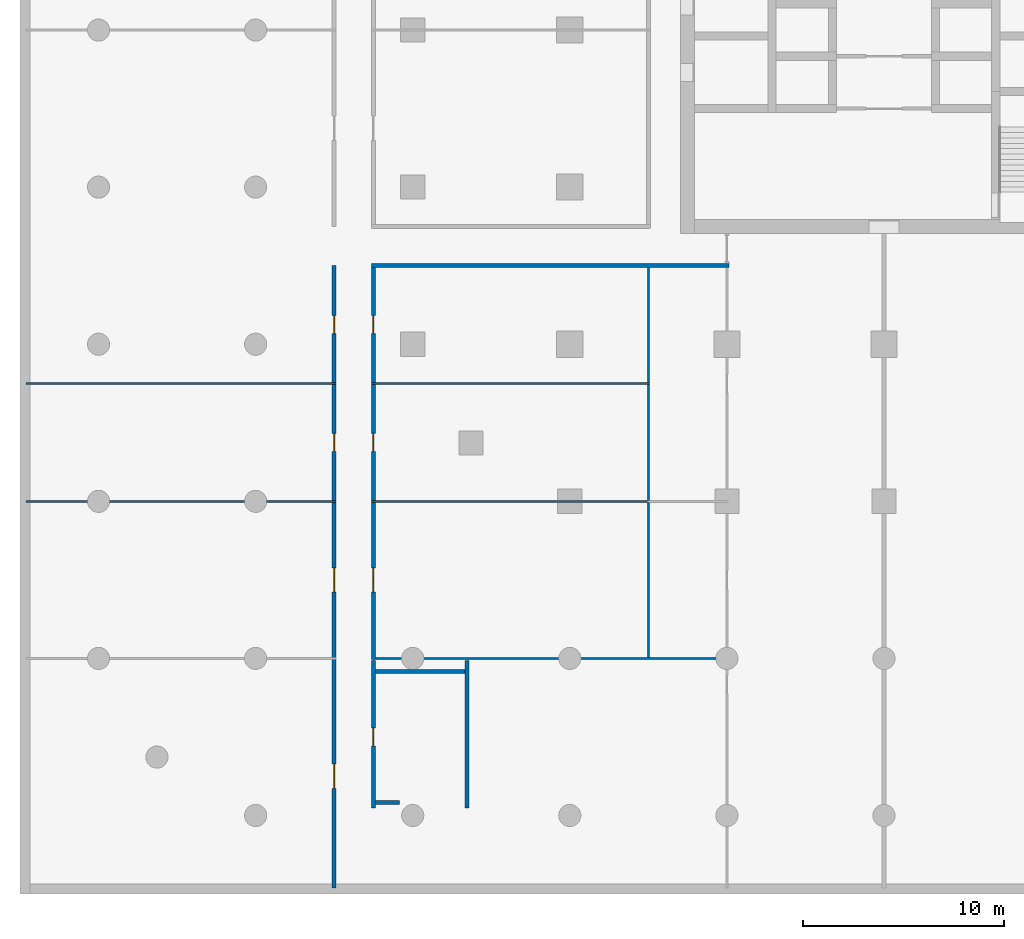
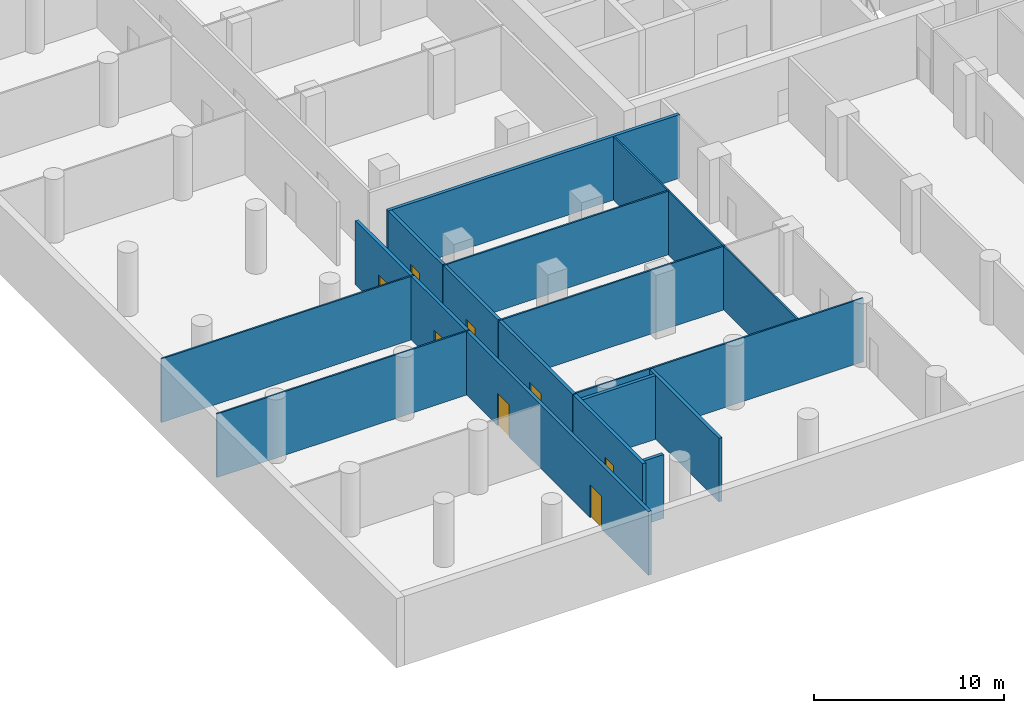
# One storey, part 2 of 14: 15 walls, 8 doors, 8 openings.
"""IFC4 building model written with IfcOpenShell, lengths in metres."""

import ifcopenshell
import ifcopenshell.guid

model = None  # the IFC model being written
_history = None  # IfcOwnerHistory: only IFC2X3 demands one
_inside = {}  # id of a spatial element -> (the spatial element, [elements in it])
_under = {}  # id of a project, library or spatial element -> (it, [spatial elements below it])
_declared = {}  # id of a project -> (the project, [libraries it declares])
_typed = {}  # id of a type object -> (the type object, [elements of that type])
_made_of = {}  # id of a material, layer set ... -> (it, [elements and type objects made of it])


def new_model(schema):
    """Start an empty IFC model of exactly this schema.

    Asked for "IFC4X3", IfcOpenShell would pick the latest addendum, in which some entities
    have other attributes; the version numbers below select the first issue.
    IFC2X3 requires an IfcOwnerHistory on every rooted entity: one is made here for all.
    """
    global model, _history
    if schema == "IFC4X3":
        model = ifcopenshell.file(schema_version=(4, 3, 0, 0))
    else:
        model = ifcopenshell.file(schema=schema)
    _inside.clear()
    _under.clear()
    _declared.clear()
    _typed.clear()
    _made_of.clear()
    _history = None
    if model.schema == "IFC2X3":
        org = make("IfcOrganization", Name="unknown")
        user = make(
            "IfcPersonAndOrganization",
            ThePerson=make("IfcPerson", FamilyName="unknown"),
            TheOrganization=org,
        )
        app = make(
            "IfcApplication",
            ApplicationDeveloper=org,
            Version="unknown",
            ApplicationFullName="unknown",
            ApplicationIdentifier="unknown",
        )
        _history = make(
            "IfcOwnerHistory",
            OwningUser=user,
            OwningApplication=app,
            ChangeAction="ADDED",
            CreationDate=0,
        )
    return model


def make(cls, **values):
    """One entity of the class cls with the attributes given. An attribute that is None is left unset."""
    return model.create_entity(
        cls, **{name: value for name, value in values.items() if value is not None}
    )


def rooted(cls, **values):
    """An entity with a GlobalId (a new one), such as an element, a storey or a relation."""
    return make(cls, GlobalId=ifcopenshell.guid.new(), OwnerHistory=_history, **values)


def si_unit(unit_type, name, prefix=None):
    """IfcSIUnit, for example si_unit("LENGTHUNIT", "METRE", prefix="MILLI")."""
    return make("IfcSIUnit", UnitType=unit_type, Prefix=prefix, Name=name)


def assignment(units):
    """IfcUnitAssignment: the units of a project."""
    return None if units is None else make("IfcUnitAssignment", Units=units)


def point(xyz):
    """IfcCartesianPoint."""
    return None if xyz is None else make("IfcCartesianPoint", Coordinates=xyz)


def direction(xyz):
    """IfcDirection."""
    return None if xyz is None else make("IfcDirection", DirectionRatios=xyz)


def frame(location, z_axis=None, x_axis=None):
    """IfcAxis2Placement3D, a coordinate frame: its origin and axes. An axis left out is left unset."""
    return make(
        "IfcAxis2Placement3D",
        Location=point(location),
        Axis=direction(z_axis),
        RefDirection=direction(x_axis),
    )


def frame_2d(location, x_axis=None):
    """IfcAxis2Placement2D, a coordinate frame in the plane: its origin and x axis."""
    return make(
        "IfcAxis2Placement2D", Location=point(location), RefDirection=direction(x_axis)
    )


def origin():
    """The frame at (0, 0, 0) with its axes left unset."""
    return frame((0.0, 0.0, 0.0))


def place(relative_to, where):
    """IfcLocalPlacement: puts the frame where relative to a parent placement (None: the world)."""
    return make(
        "IfcLocalPlacement", PlacementRelTo=relative_to, RelativePlacement=where
    )


def context(
    kind, dimensions, precision=None, world=None, true_north=None, identifier=None
):
    """IfcGeometricRepresentationContext, for example the 3D "Model" context."""
    return make(
        "IfcGeometricRepresentationContext",
        ContextIdentifier=identifier,
        ContextType=kind,
        CoordinateSpaceDimension=dimensions,
        Precision=precision,
        WorldCoordinateSystem=world,
        TrueNorth=true_north,
    )


def subcontext(parent, identifier, kind, view, scale=None):
    """IfcGeometricRepresentationSubContext, for example "Body" below "Model"."""
    return make(
        "IfcGeometricRepresentationSubContext",
        ContextIdentifier=identifier,
        ContextType=kind,
        ParentContext=parent,
        TargetScale=scale,
        TargetView=view,
    )


def project(units=None, contexts=None):
    """IfcProject with its units and contexts."""
    return rooted(
        "IfcProject",
        Name="project",
        RepresentationContexts=contexts,
        UnitsInContext=assignment(units),
    )


def spatial(cls, under=None, at=None, **own):
    """A site, building, storey or space (cls), placed at a placement, below another one or the project."""
    s = rooted(cls, ObjectPlacement=at, **own)
    if under is not None:
        _under.setdefault(under.id(), (under, []))[1].append(s)
    return s


def profile(cls, at=None, kind="AREA", **sizes):
    """A parametric profile (cls). Its sizes go by their IFC names, for example OverallWidth=200.0."""
    return make(cls, ProfileType=kind, Position=at, **sizes)


def rectangle(**sizes):
    """IfcRectangleProfileDef."""
    return profile("IfcRectangleProfileDef", **sizes)


def extrude(swept, where, along, depth):
    """IfcExtrudedAreaSolid: the profile swept, set in the frame where, extruded along a direction by depth."""
    return make(
        "IfcExtrudedAreaSolid",
        SweptArea=swept,
        Position=where,
        ExtrudedDirection=direction(along),
        Depth=depth,
    )


def shape(context_of_items, identifier, shape_type, items):
    """IfcShapeRepresentation: the items that make up one representation, for example the "Body"."""
    return make(
        "IfcShapeRepresentation",
        ContextOfItems=context_of_items,
        RepresentationIdentifier=identifier,
        RepresentationType=shape_type,
        Items=items,
    )


def material(Name=None, Category=None):
    """IfcMaterial."""
    return make("IfcMaterial", Name=Name, Category=Category)


def layer(
    of_material, thickness, ventilated=None, Name=None, Category=None, Priority=None
):
    """IfcMaterialLayer: one layer of a wall or slab, of a material (None: an air gap)."""
    return make(
        "IfcMaterialLayer",
        Material=of_material,
        LayerThickness=thickness,
        IsVentilated=ventilated,
        Name=Name,
        Category=Category,
        Priority=Priority,
    )


def layer_set(layers, Name=None):
    """IfcMaterialLayerSet."""
    return make("IfcMaterialLayerSet", MaterialLayers=layers, LayerSetName=Name)


def made_of(thing, what):
    """Note that an element or type object is made of a material, layer set ...; save() writes the relation."""
    if what is not None:
        _made_of.setdefault(what.id(), (what, []))[1].append(thing)
    return thing


def type_object(cls, material=None, **own):
    """A type object (cls), such as IfcWallType, which elements share."""
    return made_of(rooted(cls, **own), material)


def element(
    cls,
    number,
    at=None,
    inside=None,
    cuts=None,
    type_object=None,
    material=None,
    context=None,
    identifier="Body",
    shape_type=None,
    held_by="IfcProductDefinitionShape",
    body=None,
    shapes=None,
    **own,
):
    """One element of the class cls, such as IfcWall. Its Tag is "e" and its number.

    at: its placement. inside: the storey or other place that contains it. cuts: it is an
    opening in that element (IfcRelVoidsElement). A single representation is given by context,
    identifier, shape_type and body (its items); several are given by shapes. held_by: the class
    of the entity that holds the representations. save() writes the other relations.
    """
    e = rooted(cls, Tag="e%d" % number, ObjectPlacement=at, **own)
    if body is not None:
        shapes = [shape(context, identifier, shape_type, body)]
    if shapes is not None:
        e.Representation = make(held_by, Representations=shapes)
    if inside is not None:
        _inside.setdefault(inside.id(), (inside, []))[1].append(e)
    if cuts is not None:
        rooted(
            "IfcRelVoidsElement", RelatingBuildingElement=cuts, RelatedOpeningElement=e
        )
    if type_object is not None:
        _typed.setdefault(type_object.id(), (type_object, []))[1].append(e)
    return made_of(e, material)


def fill(opening, filler):
    """IfcRelFillsElement: the door or window that sits in an opening."""
    return rooted(
        "IfcRelFillsElement",
        RelatingOpeningElement=opening,
        RelatedBuildingElement=filler,
    )


def aggregate(whole, parts):
    """IfcRelAggregates: a whole, such as a stair, and the parts it consists of."""
    return rooted("IfcRelAggregates", RelatingObject=whole, RelatedObjects=parts)


def save(model, path):
    """Write the relations noted so far, then the file.

    IfcRelAggregates (storeys below a building ...), IfcRelContainedInSpatialStructure (elements
    in a storey), IfcRelDefinesByType, IfcRelAssociatesMaterial and IfcRelDeclares: one each for
    every whole, place, type object, material and project.
    """
    for whole, parts in _under.values():
        aggregate(whole, parts)
    for where, things in _inside.values():
        rooted(
            "IfcRelContainedInSpatialStructure",
            RelatedElements=things,
            RelatingStructure=where,
        )
    for kind, things in _typed.values():
        rooted("IfcRelDefinesByType", RelatedObjects=things, RelatingType=kind)
    for what, things in _made_of.values():
        rooted("IfcRelAssociatesMaterial", RelatedObjects=things, RelatingMaterial=what)
    for by, libraries in _declared.values():
        rooted("IfcRelDeclares", RelatingContext=by, RelatedDefinitions=libraries)
    model.write(path)


model = new_model("IFC4")

# Units and contexts
model_context = context("Model", 3, precision=1e-05, world=origin(), true_north=direction((0.0, 1.0)))
body_context = subcontext(model_context, "Body", "Model", "MODEL_VIEW")
ifc_project = project(units=[si_unit("LENGTHUNIT", "METRE"), si_unit("AREAUNIT", "SQUARE_METRE"), si_unit("VOLUMEUNIT", "CUBIC_METRE"), si_unit("PLANEANGLEUNIT", "RADIAN"), si_unit("MASSUNIT", "GRAM", prefix="KILO")], contexts=[model_context])

# Site, building, storey
site_placement = place(None, origin())
site = spatial("IfcSite", under=ifc_project, at=site_placement, CompositionType="ELEMENT")
building_placement = place(site_placement, origin())
building = spatial("IfcBuilding", under=site, at=building_placement, Name="Ludao Terraces", CompositionType="ELEMENT")
storey_placement = place(building_placement, frame((0.0, 0.0, -4.5)))
storey = spatial("IfcBuildingStorey", under=building, at=storey_placement, Name="B1", CompositionType="ELEMENT", Elevation=-4.5)

# Wall
ifc_material_1 = material(Name="Autoclaved aerated concrete block B06 A3.5", Category="concrete")
ifc_layer_1 = layer(ifc_material_1, 0.199951171875)
ifc_layer_set_1 = layer_set([ifc_layer_1], Name="INT Entrance wall 200")
wall_type_1 = type_object("IfcWallType", Name="INT Entrance wall 200", PredefinedType="PARTITIONING", material=ifc_layer_set_1)
wall_1_placement = place(storey_placement, frame((59.550048828125, 53.300048828125, 0.0), z_axis=(0.0, 0.0, 1.0), x_axis=(1.0, 0.0, 0.0)))
element("IfcWall", 1, at=wall_1_placement, inside=storey, type_object=wall_type_1, Name="PW-B1-PW015", PredefinedType="PARTITIONING", context=body_context, shape_type="SweptSolid", body=[
    extrude(rectangle(XDim=17.75, YDim=0.199951171875, at=frame_2d((8.875, 0.0))), origin(), (0.0, 0.0, 1.0), 4.10009765625),
])

# Wall, openings, doors
wall_2_placement = place(storey_placement, frame((57.699951171875, 22.400146484375, 0.0), z_axis=(0.0, 0.0, 1.0), x_axis=(0.0, 1.0, 0.0)))
wall_2 = element("IfcWall", 2, at=wall_2_placement, inside=storey, type_object=wall_type_1, Name="PW-B1-PW036", PredefinedType="PARTITIONING", context=body_context, shape_type="SweptSolid", body=[
    extrude(rectangle(XDim=30.89990234375, YDim=0.199951171875, at=frame_2d((15.449951171875, 0.0))), origin(), (0.0, 0.0, 1.0), 4.10009765625),
])
opening_1_placement = place(wall_2_placement, frame((4.949951171875, 0.0, 0.0)))
opening_1 = element("IfcOpeningElement", 3, at=opening_1_placement, cuts=wall_2, Name="Opening B1-003", PredefinedType="OPENING", context=body_context, shape_type="SweptSolid", body=[
    extrude(rectangle(XDim=1.199951171875, YDim=2.10009765625, at=frame_2d((0.60009765625, 1.050048828125))), frame((0.0, 0.10986328125, 0.0), z_axis=(0.0, -1.0, 0.0), x_axis=(1.0, 0.0, 0.0)), (0.0, 0.0, 1.0), 0.219970703125),
])
opening_2_placement = place(wall_2_placement, frame((14.699951171875, 0.0, 0.0)))
opening_2 = element("IfcOpeningElement", 4, at=opening_2_placement, cuts=wall_2, Name="Opening B1-009", PredefinedType="OPENING", context=body_context, shape_type="SweptSolid", body=[
    extrude(rectangle(XDim=1.199951171875, YDim=2.10009765625, at=frame_2d((0.60009765625, 1.050048828125))), frame((0.0, 0.10986328125, 0.0), z_axis=(0.0, -1.0, 0.0), x_axis=(1.0, 0.0, 0.0)), (0.0, 0.0, 1.0), 0.219970703125),
])
opening_3_placement = place(wall_2_placement, frame((21.675048828125, 0.0, 0.0)))
opening_3 = element("IfcOpeningElement", 5, at=opening_3_placement, cuts=wall_2, Name="Opening B1-015", PredefinedType="OPENING", context=body_context, shape_type="SweptSolid", body=[
    extrude(rectangle(XDim=0.89990234375, YDim=2.10009765625, at=frame_2d((0.449951171875, 1.050048828125))), frame((0.0, 0.10986328125, 0.0), z_axis=(0.0, -1.0, 0.0), x_axis=(1.0, 0.0, 0.0)), (0.0, 0.0, 1.0), 0.219970703125),
])
opening_4_placement = place(wall_2_placement, frame((27.52490234375, 0.0, 0.0)))
opening_4 = element("IfcOpeningElement", 6, at=opening_4_placement, cuts=wall_2, Name="Opening B1-019", PredefinedType="OPENING", context=body_context, shape_type="SweptSolid", body=[
    extrude(rectangle(XDim=0.89990234375, YDim=2.10009765625, at=frame_2d((0.449951171875, 1.050048828125))), frame((0.0, 0.10986328125, 0.0), z_axis=(0.0, -1.0, 0.0), x_axis=(1.0, 0.0, 0.0)), (0.0, 0.0, 1.0), 0.219970703125),
])
ifc_material_2 = material(Name="Timber door leaf", Category="wood")
door_type_1 = type_object("IfcDoorType", Name="INT Double door 1200", OperationType="DOUBLE_DOOR_SINGLE_SWING", PredefinedType="DOOR", material=ifc_material_2)
door_1_placement = place(opening_1_placement, origin())
door_1 = element("IfcDoor", 7, at=door_1_placement, inside=storey, type_object=door_type_1, Name="DOOR 003", OperationType="DOUBLE_DOOR_SINGLE_SWING", OverallHeight=2.10009765625, OverallWidth=1.199951171875, PredefinedType="DOOR", context=body_context, shape_type="SweptSolid", body=[
    extrude(rectangle(XDim=1.199951171875, YDim=2.10009765625, at=frame_2d((0.60009765625, 1.050048828125))), frame((0.0, 0.02490234375, 0.0), z_axis=(0.0, -1.0, 0.0), x_axis=(1.0, 0.0, 0.0)), (0.0, 0.0, 1.0), 0.050048828125),
])
fill(opening_1, door_1)
door_2_placement = place(opening_2_placement, origin())
door_2 = element("IfcDoor", 8, at=door_2_placement, inside=storey, type_object=door_type_1, Name="DOOR 009", OperationType="DOUBLE_DOOR_SINGLE_SWING", OverallHeight=2.10009765625, OverallWidth=1.199951171875, PredefinedType="DOOR", context=body_context, shape_type="SweptSolid", body=[
    extrude(rectangle(XDim=1.199951171875, YDim=2.10009765625, at=frame_2d((0.60009765625, 1.050048828125))), frame((0.0, 0.02490234375, 0.0), z_axis=(0.0, -1.0, 0.0), x_axis=(1.0, 0.0, 0.0)), (0.0, 0.0, 1.0), 0.050048828125),
])
fill(opening_2, door_2)
door_type_2 = type_object("IfcDoorType", Name="INT Room door 900", OperationType="SINGLE_SWING_LEFT", PredefinedType="DOOR", material=ifc_material_2)
door_3_placement = place(opening_3_placement, origin())
door_3 = element("IfcDoor", 9, at=door_3_placement, inside=storey, type_object=door_type_2, Name="DOOR 015", OperationType="SINGLE_SWING_LEFT", OverallHeight=2.10009765625, OverallWidth=0.89990234375, PredefinedType="DOOR", context=body_context, shape_type="SweptSolid", body=[
    extrude(rectangle(XDim=0.89990234375, YDim=2.10009765625, at=frame_2d((0.449951171875, 1.050048828125))), frame((0.0, 0.02490234375, 0.0), z_axis=(0.0, -1.0, 0.0), x_axis=(1.0, 0.0, 0.0)), (0.0, 0.0, 1.0), 0.050048828125),
])
fill(opening_3, door_3)
door_4_placement = place(opening_4_placement, origin())
door_4 = element("IfcDoor", 10, at=door_4_placement, inside=storey, type_object=door_type_2, Name="DOOR 019", OperationType="SINGLE_SWING_LEFT", OverallHeight=2.10009765625, OverallWidth=0.89990234375, PredefinedType="DOOR", context=body_context, shape_type="SweptSolid", body=[
    extrude(rectangle(XDim=0.89990234375, YDim=2.10009765625, at=frame_2d((0.449951171875, 1.050048828125))), frame((0.0, 0.02490234375, 0.0), z_axis=(0.0, -1.0, 0.0), x_axis=(1.0, 0.0, 0.0)), (0.0, 0.0, 1.0), 0.050048828125),
])
fill(opening_4, door_4)

wall_3_placement = place(storey_placement, frame((59.64990234375, 33.75, 0.0), z_axis=(0.0, 0.0, 1.0), x_axis=(0.0, 1.0, 0.0)))
wall_3 = element("IfcWall", 11, at=wall_3_placement, inside=storey, type_object=wall_type_1, Name="PW-B1-PW038", PredefinedType="PARTITIONING", context=body_context, shape_type="SweptSolid", body=[
    extrude(rectangle(XDim=19.4501953125, YDim=0.199951171875, at=frame_2d((9.72509765625, 0.0))), origin(), (0.0, 0.0, 1.0), 4.10009765625),
])
opening_5_placement = place(wall_3_placement, frame((3.35009765625, 0.0, 0.0)))
opening_5 = element("IfcOpeningElement", 12, at=opening_5_placement, cuts=wall_3, Name="Opening B1-010", PredefinedType="OPENING", context=body_context, shape_type="SweptSolid", body=[
    extrude(rectangle(XDim=1.199951171875, YDim=2.10009765625, at=frame_2d((0.60009765625, 1.050048828125))), frame((0.0, 0.10986328125, 0.0), z_axis=(0.0, -1.0, 0.0), x_axis=(1.0, 0.0, 0.0)), (0.0, 0.0, 1.0), 0.219970703125),
])
opening_6_placement = place(wall_3_placement, frame((10.3251953125, 0.0, 0.0)))
opening_6 = element("IfcOpeningElement", 13, at=opening_6_placement, cuts=wall_3, Name="Opening B1-016", PredefinedType="OPENING", context=body_context, shape_type="SweptSolid", body=[
    extrude(rectangle(XDim=0.89990234375, YDim=2.10009765625, at=frame_2d((0.449951171875, 1.050048828125))), frame((0.0, 0.10986328125, 0.0), z_axis=(0.0, -1.0, 0.0), x_axis=(1.0, 0.0, 0.0)), (0.0, 0.0, 1.0), 0.219970703125),
])
opening_7_placement = place(wall_3_placement, frame((16.175048828125, 0.0, 0.0)))
opening_7 = element("IfcOpeningElement", 14, at=opening_7_placement, cuts=wall_3, Name="Opening B1-020", PredefinedType="OPENING", context=body_context, shape_type="SweptSolid", body=[
    extrude(rectangle(XDim=0.89990234375, YDim=2.10009765625, at=frame_2d((0.449951171875, 1.050048828125))), frame((0.0, 0.10986328125, 0.0), z_axis=(0.0, -1.0, 0.0), x_axis=(1.0, 0.0, 0.0)), (0.0, 0.0, 1.0), 0.219970703125),
])
door_5_placement = place(opening_5_placement, origin())
door_5 = element("IfcDoor", 15, at=door_5_placement, inside=storey, type_object=door_type_1, Name="DOOR 010", OperationType="DOUBLE_DOOR_SINGLE_SWING", OverallHeight=2.10009765625, OverallWidth=1.199951171875, PredefinedType="DOOR", context=body_context, shape_type="SweptSolid", body=[
    extrude(rectangle(XDim=1.199951171875, YDim=2.10009765625, at=frame_2d((0.60009765625, 1.050048828125))), frame((0.0, 0.02490234375, 0.0), z_axis=(0.0, -1.0, 0.0), x_axis=(1.0, 0.0, 0.0)), (0.0, 0.0, 1.0), 0.050048828125),
])
fill(opening_5, door_5)
door_6_placement = place(opening_6_placement, origin())
door_6 = element("IfcDoor", 16, at=door_6_placement, inside=storey, type_object=door_type_2, Name="DOOR 016", OperationType="SINGLE_SWING_RIGHT", OverallHeight=2.10009765625, OverallWidth=0.89990234375, PredefinedType="DOOR", context=body_context, shape_type="SweptSolid", body=[
    extrude(rectangle(XDim=0.89990234375, YDim=2.10009765625, at=frame_2d((0.449951171875, 1.050048828125))), frame((0.0, 0.02490234375, 0.0), z_axis=(0.0, -1.0, 0.0), x_axis=(1.0, 0.0, 0.0)), (0.0, 0.0, 1.0), 0.050048828125),
])
fill(opening_6, door_6)
door_7_placement = place(opening_7_placement, origin())
door_7 = element("IfcDoor", 17, at=door_7_placement, inside=storey, type_object=door_type_2, Name="DOOR 020", OperationType="SINGLE_SWING_RIGHT", OverallHeight=2.10009765625, OverallWidth=0.89990234375, PredefinedType="DOOR", context=body_context, shape_type="SweptSolid", body=[
    extrude(rectangle(XDim=0.89990234375, YDim=2.10009765625, at=frame_2d((0.449951171875, 1.050048828125))), frame((0.0, 0.02490234375, 0.0), z_axis=(0.0, -1.0, 0.0), x_axis=(1.0, 0.0, 0.0)), (0.0, 0.0, 1.0), 0.050048828125),
])
fill(opening_7, door_7)

# Walls
ifc_material_3 = material(Name="Gypsum plasterboard", Category="gypsum")
ifc_layer_2 = layer(ifc_material_3, 0.012451171875, Category="gypsum")
ifc_material_4 = material(Name="Mineral wool")
ifc_layer_3 = layer(ifc_material_4, 0.06005859375, Name="insulation")
ifc_material_5 = material(Name="Steel Q235", Category="steel")
ifc_layer_4 = layer(ifc_material_5, 0.014892578125, Name="stud")
ifc_layer_5 = layer(ifc_material_3, 0.012451171875, Category="gypsum")
ifc_layer_set_2 = layer_set([ifc_layer_2, ifc_layer_3, ifc_layer_4, ifc_layer_5], Name="INT Partition 100")
wall_type_2 = type_object("IfcWallType", Name="INT Partition 100", PredefinedType="PARTITIONING", material=ifc_layer_set_2)
wall_4_placement = place(storey_placement, frame((59.75, 33.800048828125, 0.0), z_axis=(0.0, 0.0, 1.0), x_axis=(1.0, 0.0, 0.0)))
element("IfcWall", 18, at=wall_4_placement, inside=storey, type_object=wall_type_2, Name="PW-B1-PW003", PredefinedType="PARTITIONING", context=body_context, shape_type="SweptSolid", body=[
    extrude(rectangle(XDim=17.5, YDim=0.10009765625, at=frame_2d((8.75, 0.0))), origin(), (0.0, 0.0, 1.0), 4.10009765625),
])
wall_5_placement = place(storey_placement, frame((42.400146484375, 41.60009765625, 0.0), z_axis=(0.0, 0.0, 1.0), x_axis=(1.0, 0.0, 0.0)))
element("IfcWall", 19, at=wall_5_placement, inside=storey, type_object=wall_type_2, Name="PW-B1-PW007", PredefinedType="PARTITIONING", context=body_context, shape_type="SweptSolid", body=[
    extrude(rectangle(XDim=15.39990234375, YDim=0.10009765625, at=frame_2d((7.699951171875, 0.0))), origin(), (0.0, 0.0, 1.0), 4.10009765625),
])
wall_6_placement = place(storey_placement, frame((59.550048828125, 41.60009765625, 0.0), z_axis=(0.0, 0.0, 1.0), x_axis=(1.0, 0.0, 0.0)))
element("IfcWall", 20, at=wall_6_placement, inside=storey, type_object=wall_type_2, Name="PW-B1-PW008", PredefinedType="PARTITIONING", context=body_context, shape_type="SweptSolid", body=[
    extrude(rectangle(XDim=13.800048828125, YDim=0.10009765625, at=frame_2d((6.89990234375, 0.0))), origin(), (0.0, 0.0, 1.0), 4.10009765625),
])
wall_7_placement = place(storey_placement, frame((42.400146484375, 47.449951171875, 0.0), z_axis=(0.0, 0.0, 1.0), x_axis=(1.0, 0.0, 0.0)))
element("IfcWall", 21, at=wall_7_placement, inside=storey, type_object=wall_type_2, Name="PW-B1-PW011", PredefinedType="PARTITIONING", context=body_context, shape_type="SweptSolid", body=[
    extrude(rectangle(XDim=15.39990234375, YDim=0.10009765625, at=frame_2d((7.699951171875, 0.0))), origin(), (0.0, 0.0, 1.0), 4.10009765625),
])
wall_8_placement = place(storey_placement, frame((59.550048828125, 47.449951171875, 0.0), z_axis=(0.0, 0.0, 1.0), x_axis=(1.0, 0.0, 0.0)))
element("IfcWall", 22, at=wall_8_placement, inside=storey, type_object=wall_type_2, Name="PW-B1-PW012", PredefinedType="PARTITIONING", context=body_context, shape_type="SweptSolid", body=[
    extrude(rectangle(XDim=13.800048828125, YDim=0.10009765625, at=frame_2d((6.89990234375, 0.0))), origin(), (0.0, 0.0, 1.0), 4.10009765625),
])
wall_9_placement = place(storey_placement, frame((73.300048828125, 33.85009765625, 0.0), z_axis=(0.0, 0.0, 1.0), x_axis=(0.0, 1.0, 0.0)))
element("IfcWall", 23, at=wall_9_placement, inside=storey, type_object=wall_type_2, Name="PW-B1-PW040", PredefinedType="PARTITIONING", context=body_context, shape_type="SweptSolid", body=[
    extrude(rectangle(XDim=7.699951171875, YDim=0.10009765625, at=frame_2d((3.85009765625, 0.0))), origin(), (0.0, 0.0, 1.0), 4.10009765625),
])
wall_10_placement = place(storey_placement, frame((73.300048828125, 41.650146484375, 0.0), z_axis=(0.0, 0.0, 1.0), x_axis=(0.0, 1.0, 0.0)))
element("IfcWall", 24, at=wall_10_placement, inside=storey, type_object=wall_type_2, Name="PW-B1-PW041", PredefinedType="PARTITIONING", context=body_context, shape_type="SweptSolid", body=[
    extrude(rectangle(XDim=5.75, YDim=0.10009765625, at=frame_2d((2.875, 0.0))), origin(), (0.0, 0.0, 1.0), 4.10009765625),
])
wall_11_placement = place(storey_placement, frame((73.300048828125, 47.5, 0.0), z_axis=(0.0, 0.0, 1.0), x_axis=(0.0, 1.0, 0.0)))
element("IfcWall", 25, at=wall_11_placement, inside=storey, type_object=wall_type_2, Name="PW-B1-PW042", PredefinedType="PARTITIONING", context=body_context, shape_type="SweptSolid", body=[
    extrude(rectangle(XDim=5.7001953125, YDim=0.10009765625, at=frame_2d((2.85009765625, 0.0))), origin(), (0.0, 0.0, 1.0), 4.10009765625),
])

# Wall, opening, door
ifc_material_6 = material(Name="Concrete C50", Category="concrete")
ifc_layer_6 = layer(ifc_material_6, 0.199951171875)
ifc_layer_set_3 = layer_set([ifc_layer_6], Name="Shaft wall 200 C50")
wall_type_3 = type_object("IfcWallType", Name="Shaft wall 200 C50", PredefinedType="SOLIDWALL", material=ifc_layer_set_3)
wall_12_placement = place(storey_placement, frame((59.64990234375, 26.3798828125, 0.0), z_axis=(0.0, 0.0, 1.0), x_axis=(0.0, 1.0, 0.0)))
wall_12 = element("IfcWall", 26, at=wall_12_placement, inside=storey, type_object=wall_type_3, Name="Stair wall B1 PS1 W", PredefinedType="SOLIDWALL", context=body_context, shape_type="SweptSolid", body=[
    extrude(rectangle(XDim=7.320068359375, YDim=0.199951171875, at=frame_2d((3.66015625, 0.0))), origin(), (0.0, 0.0, 1.0), 4.10009765625),
])
opening_8_placement = place(wall_12_placement, frame((3.070068359375, 0.0, 0.0)))
opening_8 = element("IfcOpeningElement", 27, at=opening_8_placement, cuts=wall_12, Name="Opening B1-004", PredefinedType="OPENING", context=body_context, shape_type="SweptSolid", body=[
    extrude(rectangle(XDim=0.89990234375, YDim=2.10009765625, at=frame_2d((0.449951171875, 1.050048828125))), frame((0.0, 0.10986328125, 0.0), z_axis=(0.0, -1.0, 0.0), x_axis=(1.0, 0.0, 0.0)), (0.0, 0.0, 1.0), 0.219970703125),
])
door_8_placement = place(opening_8_placement, origin())
door_8 = element("IfcDoor", 28, at=door_8_placement, inside=storey, type_object=door_type_2, Name="DOOR 004", OperationType="SINGLE_SWING_LEFT", OverallHeight=2.10009765625, OverallWidth=0.89990234375, PredefinedType="DOOR", context=body_context, shape_type="SweptSolid", body=[
    extrude(rectangle(XDim=0.89990234375, YDim=2.10009765625, at=frame_2d((0.449951171875, 1.050048828125))), frame((0.0, 0.02490234375, 0.0), z_axis=(0.0, -1.0, 0.0), x_axis=(1.0, 0.0, 0.0)), (0.0, 0.0, 1.0), 0.050048828125),
])
fill(opening_8, door_8)

# Walls
wall_13_placement = place(storey_placement, frame((64.300048828125, 26.3798828125, 0.0), z_axis=(0.0, 0.0, 1.0), x_axis=(0.0, 1.0, 0.0)))
element("IfcWall", 29, at=wall_13_placement, inside=storey, type_object=wall_type_3, Name="Stair wall B1 PS1 E", PredefinedType="SOLIDWALL", context=body_context, shape_type="SweptSolid", body=[
    extrude(rectangle(XDim=7.320068359375, YDim=0.199951171875, at=frame_2d((3.66015625, 0.0))), origin(), (0.0, 0.0, 1.0), 4.10009765625),
])
wall_14_placement = place(storey_placement, frame((59.75, 33.14990234375, 0.0), z_axis=(0.0, 0.0, 1.0), x_axis=(1.0, 0.0, 0.0)))
element("IfcWall", 30, at=wall_14_placement, inside=storey, type_object=wall_type_3, Name="Stair wall B1 PS1 N", PredefinedType="SOLIDWALL", context=body_context, shape_type="SweptSolid", body=[
    extrude(rectangle(XDim=4.449951171875, YDim=0.199951171875, at=frame_2d((2.22509765625, 0.0))), origin(), (0.0, 0.0, 1.0), 4.10009765625),
])
wall_15_placement = place(storey_placement, frame((59.75, 26.64990234375, 0.0), z_axis=(0.0, 0.0, 1.0), x_axis=(1.0, 0.0, 0.0)))
element("IfcWall", 31, at=wall_15_placement, inside=storey, type_object=wall_type_3, Name="Stair wall B1 PS1 S", PredefinedType="SOLIDWALL", context=body_context, shape_type="SweptSolid", body=[
    extrude(rectangle(XDim=1.199951171875, YDim=0.199951171875, at=frame_2d((0.60009765625, 0.0))), origin(), (0.0, 0.0, 1.0), 4.10009765625),
])

save(model, "model.ifc")
